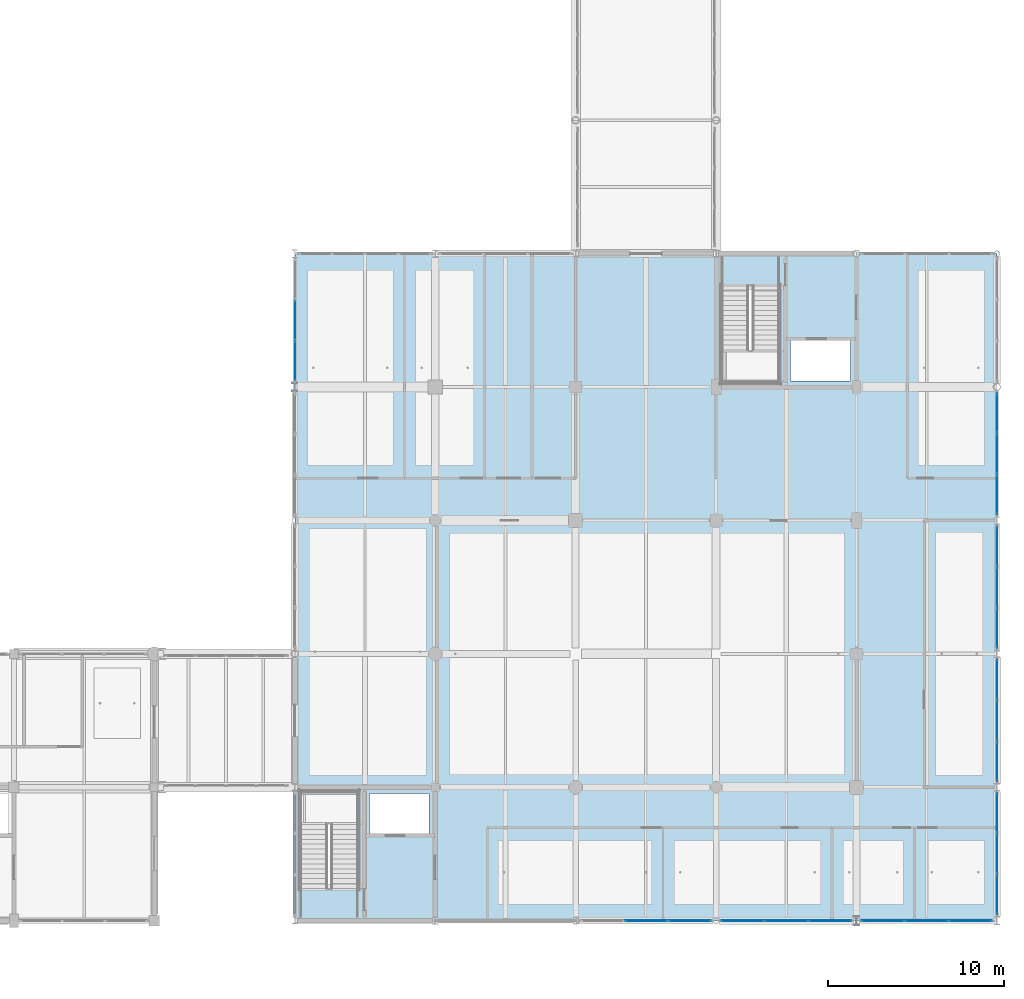
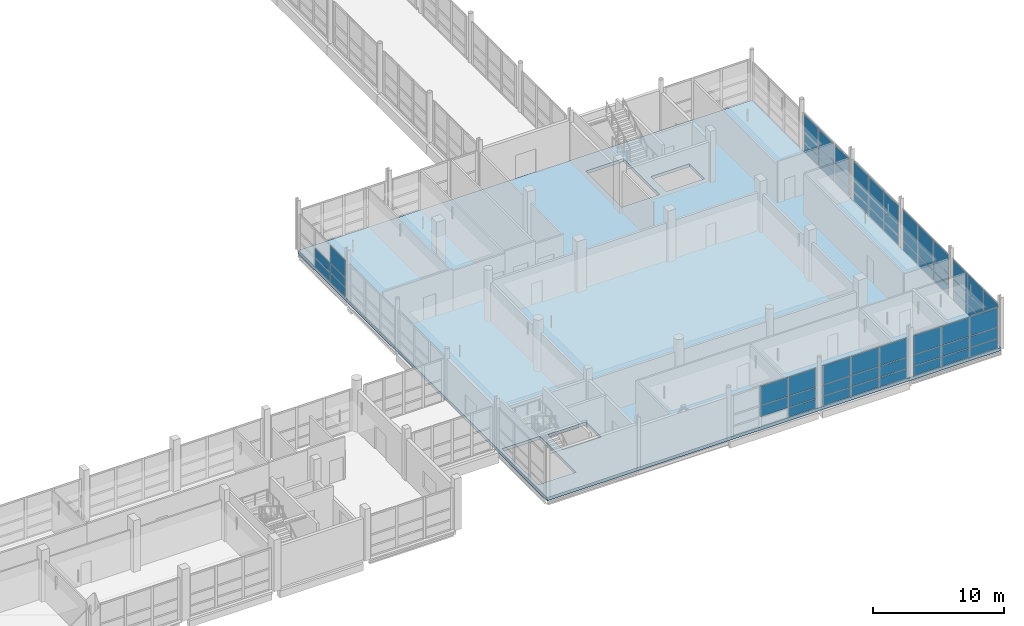
# One storey, part 78 of 141: 64 plates, 1 slab, 8 elements without a shape of their own.
"""IFC4 building model written with IfcOpenShell, lengths in metres."""

import ifcopenshell
import ifcopenshell.guid

model = None  # the IFC model being written
_history = None  # IfcOwnerHistory: only IFC2X3 demands one
_inside = {}  # id of a spatial element -> (the spatial element, [elements in it])
_under = {}  # id of a project, library or spatial element -> (it, [spatial elements below it])
_declared = {}  # id of a project -> (the project, [libraries it declares])
_typed = {}  # id of a type object -> (the type object, [elements of that type])
_made_of = {}  # id of a material, layer set ... -> (it, [elements and type objects made of it])


def new_model(schema):
    """Start an empty IFC model of exactly this schema.

    Asked for "IFC4X3", IfcOpenShell would pick the latest addendum, in which some entities
    have other attributes; the version numbers below select the first issue.
    IFC2X3 requires an IfcOwnerHistory on every rooted entity: one is made here for all.
    """
    global model, _history
    if schema == "IFC4X3":
        model = ifcopenshell.file(schema_version=(4, 3, 0, 0))
    else:
        model = ifcopenshell.file(schema=schema)
    _inside.clear()
    _under.clear()
    _declared.clear()
    _typed.clear()
    _made_of.clear()
    _history = None
    if model.schema == "IFC2X3":
        org = make("IfcOrganization", Name="unknown")
        user = make(
            "IfcPersonAndOrganization",
            ThePerson=make("IfcPerson", FamilyName="unknown"),
            TheOrganization=org,
        )
        app = make(
            "IfcApplication",
            ApplicationDeveloper=org,
            Version="unknown",
            ApplicationFullName="unknown",
            ApplicationIdentifier="unknown",
        )
        _history = make(
            "IfcOwnerHistory",
            OwningUser=user,
            OwningApplication=app,
            ChangeAction="ADDED",
            CreationDate=0,
        )
    return model


def make(cls, **values):
    """One entity of the class cls with the attributes given. An attribute that is None is left unset."""
    return model.create_entity(
        cls, **{name: value for name, value in values.items() if value is not None}
    )


def rooted(cls, **values):
    """An entity with a GlobalId (a new one), such as an element, a storey or a relation."""
    return make(cls, GlobalId=ifcopenshell.guid.new(), OwnerHistory=_history, **values)


def si_unit(unit_type, name, prefix=None):
    """IfcSIUnit, for example si_unit("LENGTHUNIT", "METRE", prefix="MILLI")."""
    return make("IfcSIUnit", UnitType=unit_type, Prefix=prefix, Name=name)


def assignment(units):
    """IfcUnitAssignment: the units of a project."""
    return None if units is None else make("IfcUnitAssignment", Units=units)


def point(xyz):
    """IfcCartesianPoint."""
    return None if xyz is None else make("IfcCartesianPoint", Coordinates=xyz)


def direction(xyz):
    """IfcDirection."""
    return None if xyz is None else make("IfcDirection", DirectionRatios=xyz)


def frame(location, z_axis=None, x_axis=None):
    """IfcAxis2Placement3D, a coordinate frame: its origin and axes. An axis left out is left unset."""
    return make(
        "IfcAxis2Placement3D",
        Location=point(location),
        Axis=direction(z_axis),
        RefDirection=direction(x_axis),
    )


def frame_2d(location, x_axis=None):
    """IfcAxis2Placement2D, a coordinate frame in the plane: its origin and x axis."""
    return make(
        "IfcAxis2Placement2D", Location=point(location), RefDirection=direction(x_axis)
    )


def origin():
    """The frame at (0, 0, 0) with its axes left unset."""
    return frame((0.0, 0.0, 0.0))


def origin_2d():
    """The frame at (0, 0) in the plane with its x axis left unset."""
    return frame_2d((0.0, 0.0))


def place(relative_to, where):
    """IfcLocalPlacement: puts the frame where relative to a parent placement (None: the world)."""
    return make(
        "IfcLocalPlacement", PlacementRelTo=relative_to, RelativePlacement=where
    )


def context(
    kind, dimensions, precision=None, world=None, true_north=None, identifier=None
):
    """IfcGeometricRepresentationContext, for example the 3D "Model" context."""
    return make(
        "IfcGeometricRepresentationContext",
        ContextIdentifier=identifier,
        ContextType=kind,
        CoordinateSpaceDimension=dimensions,
        Precision=precision,
        WorldCoordinateSystem=world,
        TrueNorth=true_north,
    )


def subcontext(parent, identifier, kind, view, scale=None):
    """IfcGeometricRepresentationSubContext, for example "Body" below "Model"."""
    return make(
        "IfcGeometricRepresentationSubContext",
        ContextIdentifier=identifier,
        ContextType=kind,
        ParentContext=parent,
        TargetScale=scale,
        TargetView=view,
    )


def project(units=None, contexts=None):
    """IfcProject with its units and contexts."""
    return rooted(
        "IfcProject",
        Name="project",
        RepresentationContexts=contexts,
        UnitsInContext=assignment(units),
    )


def spatial(cls, under=None, at=None, **own):
    """A site, building, storey or space (cls), placed at a placement, below another one or the project."""
    s = rooted(cls, ObjectPlacement=at, **own)
    if under is not None:
        _under.setdefault(under.id(), (under, []))[1].append(s)
    return s


def polyline(points):
    """IfcPolyline through the points."""
    return make("IfcPolyline", Points=[point(p) for p in points])


def profile(cls, at=None, kind="AREA", **sizes):
    """A parametric profile (cls). Its sizes go by their IFC names, for example OverallWidth=200.0."""
    return make(cls, ProfileType=kind, Position=at, **sizes)


def rectangle(**sizes):
    """IfcRectangleProfileDef."""
    return profile("IfcRectangleProfileDef", **sizes)


def outline(outer, holes=None, kind="AREA"):
    """IfcArbitraryClosedProfileDef: a profile drawn as a closed curve; with holes, ...WithVoids."""
    if holes is None:
        return make("IfcArbitraryClosedProfileDef", ProfileType=kind, OuterCurve=outer)
    return make(
        "IfcArbitraryProfileDefWithVoids",
        ProfileType=kind,
        OuterCurve=outer,
        InnerCurves=holes,
    )


def extrude(swept, where, along, depth):
    """IfcExtrudedAreaSolid: the profile swept, set in the frame where, extruded along a direction by depth."""
    return make(
        "IfcExtrudedAreaSolid",
        SweptArea=swept,
        Position=where,
        ExtrudedDirection=direction(along),
        Depth=depth,
    )


def shape(context_of_items, identifier, shape_type, items):
    """IfcShapeRepresentation: the items that make up one representation, for example the "Body"."""
    return make(
        "IfcShapeRepresentation",
        ContextOfItems=context_of_items,
        RepresentationIdentifier=identifier,
        RepresentationType=shape_type,
        Items=items,
    )


def material(Name=None, Category=None):
    """IfcMaterial."""
    return make("IfcMaterial", Name=Name, Category=Category)


def layer(
    of_material, thickness, ventilated=None, Name=None, Category=None, Priority=None
):
    """IfcMaterialLayer: one layer of a wall or slab, of a material (None: an air gap)."""
    return make(
        "IfcMaterialLayer",
        Material=of_material,
        LayerThickness=thickness,
        IsVentilated=ventilated,
        Name=Name,
        Category=Category,
        Priority=Priority,
    )


def layer_set(layers, Name=None):
    """IfcMaterialLayerSet."""
    return make("IfcMaterialLayerSet", MaterialLayers=layers, LayerSetName=Name)


def made_of(thing, what):
    """Note that an element or type object is made of a material, layer set ...; save() writes the relation."""
    if what is not None:
        _made_of.setdefault(what.id(), (what, []))[1].append(thing)
    return thing


def type_object(cls, material=None, **own):
    """A type object (cls), such as IfcWallType, which elements share."""
    return made_of(rooted(cls, **own), material)


def element(
    cls,
    number,
    at=None,
    inside=None,
    cuts=None,
    type_object=None,
    material=None,
    context=None,
    identifier="Body",
    shape_type=None,
    held_by="IfcProductDefinitionShape",
    body=None,
    shapes=None,
    **own,
):
    """One element of the class cls, such as IfcWall. Its Tag is "e" and its number.

    at: its placement. inside: the storey or other place that contains it. cuts: it is an
    opening in that element (IfcRelVoidsElement). A single representation is given by context,
    identifier, shape_type and body (its items); several are given by shapes. held_by: the class
    of the entity that holds the representations. save() writes the other relations.
    """
    e = rooted(cls, Tag="e%d" % number, ObjectPlacement=at, **own)
    if body is not None:
        shapes = [shape(context, identifier, shape_type, body)]
    if shapes is not None:
        e.Representation = make(held_by, Representations=shapes)
    if inside is not None:
        _inside.setdefault(inside.id(), (inside, []))[1].append(e)
    if cuts is not None:
        rooted(
            "IfcRelVoidsElement", RelatingBuildingElement=cuts, RelatedOpeningElement=e
        )
    if type_object is not None:
        _typed.setdefault(type_object.id(), (type_object, []))[1].append(e)
    return made_of(e, material)


def aggregate(whole, parts):
    """IfcRelAggregates: a whole, such as a stair, and the parts it consists of."""
    return rooted("IfcRelAggregates", RelatingObject=whole, RelatedObjects=parts)


def save(model, path):
    """Write the relations noted so far, then the file.

    IfcRelAggregates (storeys below a building ...), IfcRelContainedInSpatialStructure (elements
    in a storey), IfcRelDefinesByType, IfcRelAssociatesMaterial and IfcRelDeclares: one each for
    every whole, place, type object, material and project.
    """
    for whole, parts in _under.values():
        aggregate(whole, parts)
    for where, things in _inside.values():
        rooted(
            "IfcRelContainedInSpatialStructure",
            RelatedElements=things,
            RelatingStructure=where,
        )
    for kind, things in _typed.values():
        rooted("IfcRelDefinesByType", RelatedObjects=things, RelatingType=kind)
    for what, things in _made_of.values():
        rooted("IfcRelAssociatesMaterial", RelatedObjects=things, RelatingMaterial=what)
    for by, libraries in _declared.values():
        rooted("IfcRelDeclares", RelatingContext=by, RelatedDefinitions=libraries)
    model.write(path)


model = new_model("IFC4")

# Units and contexts
model_context = context("Model", 3, precision=1e-05, world=origin(), true_north=direction((0.0, 1.0)))
body_context = subcontext(model_context, "Body", "Model", "MODEL_VIEW")
ifc_project = project(units=[si_unit("LENGTHUNIT", "METRE"), si_unit("AREAUNIT", "SQUARE_METRE"), si_unit("VOLUMEUNIT", "CUBIC_METRE"), si_unit("PLANEANGLEUNIT", "RADIAN"), si_unit("MASSUNIT", "GRAM", prefix="KILO")], contexts=[model_context])

# Site, building, storey
site_placement = place(None, origin())
site = spatial("IfcSite", under=ifc_project, at=site_placement, CompositionType="ELEMENT")
building_placement = place(site_placement, origin())
building = spatial("IfcBuilding", under=site, at=building_placement, Name="Khelvaren Railside Concert Hall", CompositionType="ELEMENT")
storey_placement = place(building_placement, frame((0.0, 0.0, 10.199951171875)))
storey = spatial("IfcBuildingStorey", under=building, at=storey_placement, Name="L02", CompositionType="ELEMENT", Elevation=10.199951171875)

# Curtain wall, plates
ifc_material_1 = material(Name="Double-glazed clear foyer glass", Category="glass")
curtain_wall_type_1 = type_object("IfcCurtainWallType", Name="CW68", PredefinedType="USERDEFINED", material=ifc_material_1)
curtain_wall_1_placement = place(storey_placement, origin())
curtain_wall_1 = element("IfcCurtainWall", 1, at=curtain_wall_1_placement, inside=storey, type_object=curtain_wall_type_1, Name="Unitised Curtain Wall CW-V2-L02-S-160", ObjectType="UNITISED CURTAIN WALL", PredefinedType="USERDEFINED")
ifc_layer_1 = layer(ifc_material_1, 0.0439453125)
ifc_layer_set_1 = layer_set([ifc_layer_1], Name="Double-glazed clear foyer glass")
plate_type_1 = type_object("IfcPlateType", Name="CWP33", PredefinedType="CURTAIN_PANEL", material=ifc_layer_set_1)
plate_1_placement = place(storey_placement, frame((166.49853515625, 0.0, 0.06494140625), z_axis=(0.0, 0.0, 1.0), x_axis=(-1.0, 0.0, 0.0)))
plate_1 = element("IfcPlate", 2, at=plate_1_placement, type_object=plate_type_1, Name="CW68 panel 1.1", PredefinedType="CURTAIN_PANEL", context=body_context, shape_type="SweptSolid", body=[
    extrude(rectangle(XDim=2.384033203125, YDim=0.0439453125, at=origin_2d()), origin(), (0.0, 0.0, 1.0), 0.8525390625),
])
plate_2_placement = place(storey_placement, frame((166.49853515625, 0.0, 0.982666015625), z_axis=(0.0, 0.0, 1.0), x_axis=(-1.0, 0.0, 0.0)))
plate_2 = element("IfcPlate", 3, at=plate_2_placement, type_object=plate_type_1, Name="CW68 panel 1.2", PredefinedType="CURTAIN_PANEL", context=body_context, shape_type="SweptSolid", body=[
    extrude(rectangle(XDim=2.384033203125, YDim=0.0439453125, at=origin_2d()), origin(), (0.0, 0.0, 1.0), 0.9921875),
])
plate_3_placement = place(storey_placement, frame((166.49853515625, 0.0, 2.039794921875), z_axis=(0.0, 0.0, 1.0), x_axis=(-1.0, 0.0, 0.0)))
plate_3 = element("IfcPlate", 4, at=plate_3_placement, type_object=plate_type_1, Name="CW68 panel 1.3", PredefinedType="CURTAIN_PANEL", context=body_context, shape_type="SweptSolid", body=[
    extrude(rectangle(XDim=2.384033203125, YDim=0.0439453125, at=origin_2d()), origin(), (0.0, 0.0, 1.0), 1.75537109375),
])
plate_4_placement = place(storey_placement, frame((164.0205078125, 0.0, 0.982666015625), z_axis=(0.0, 0.0, 1.0), x_axis=(-1.0, 0.0, 0.0)))
plate_4 = element("IfcPlate", 5, at=plate_4_placement, type_object=plate_type_1, Name="CW68 panel 2.2", PredefinedType="CURTAIN_PANEL", context=body_context, shape_type="SweptSolid", body=[
    extrude(rectangle(XDim=2.421630859375, YDim=0.0439453125, at=origin_2d()), origin(), (0.0, 0.0, 1.0), 0.9921875),
])
plate_5_placement = place(storey_placement, frame((164.0205078125, 0.0, 2.039794921875), z_axis=(0.0, 0.0, 1.0), x_axis=(-1.0, 0.0, 0.0)))
plate_5 = element("IfcPlate", 6, at=plate_5_placement, type_object=plate_type_1, Name="CW68 panel 2.3", PredefinedType="CURTAIN_PANEL", context=body_context, shape_type="SweptSolid", body=[
    extrude(rectangle(XDim=2.421630859375, YDim=0.0439453125, at=origin_2d()), origin(), (0.0, 0.0, 1.0), 1.75537109375),
])
aggregate(curtain_wall_1, [plate_1, plate_2, plate_3, plate_4, plate_5])

curtain_wall_type_2 = type_object("IfcCurtainWallType", Name="CW70", PredefinedType="USERDEFINED", material=ifc_material_1)
curtain_wall_2_placement = place(storey_placement, origin())
curtain_wall_2 = element("IfcCurtainWall", 7, at=curtain_wall_2_placement, inside=storey, type_object=curtain_wall_type_2, Name="Unitised Curtain Wall CW-V2-L02-S-168", ObjectType="UNITISED CURTAIN WALL", PredefinedType="USERDEFINED")
plate_6_placement = place(storey_placement, frame((174.50146484375, 0.0, 0.06494140625), z_axis=(0.0, 0.0, 1.0), x_axis=(-1.0, 0.0, 0.0)))
plate_6 = element("IfcPlate", 8, at=plate_6_placement, type_object=plate_type_1, Name="CW70 panel 1.1", PredefinedType="CURTAIN_PANEL", context=body_context, shape_type="SweptSolid", body=[
    extrude(rectangle(XDim=2.40185546875, YDim=0.0439453125, at=origin_2d()), origin(), (0.0, 0.0, 1.0), 0.8525390625),
])
plate_7_placement = place(storey_placement, frame((174.50146484375, 0.0, 0.982666015625), z_axis=(0.0, 0.0, 1.0), x_axis=(-1.0, 0.0, 0.0)))
plate_7 = element("IfcPlate", 9, at=plate_7_placement, type_object=plate_type_1, Name="CW70 panel 1.2", PredefinedType="CURTAIN_PANEL", context=body_context, shape_type="SweptSolid", body=[
    extrude(rectangle(XDim=2.40185546875, YDim=0.0439453125, at=origin_2d()), origin(), (0.0, 0.0, 1.0), 0.9921875),
])
plate_8_placement = place(storey_placement, frame((174.50146484375, 0.0, 2.039794921875), z_axis=(0.0, 0.0, 1.0), x_axis=(-1.0, 0.0, 0.0)))
plate_8 = element("IfcPlate", 10, at=plate_8_placement, type_object=plate_type_1, Name="CW70 panel 1.3", PredefinedType="CURTAIN_PANEL", context=body_context, shape_type="SweptSolid", body=[
    extrude(rectangle(XDim=2.40185546875, YDim=0.0439453125, at=origin_2d()), origin(), (0.0, 0.0, 1.0), 1.75537109375),
])
plate_9_placement = place(storey_placement, frame((172.006103515625, 0.0, 0.06494140625), z_axis=(0.0, 0.0, 1.0), x_axis=(-1.0, 0.0, 0.0)))
plate_9 = element("IfcPlate", 11, at=plate_9_placement, type_object=plate_type_1, Name="CW70 panel 2.1", PredefinedType="CURTAIN_PANEL", context=body_context, shape_type="SweptSolid", body=[
    extrude(rectangle(XDim=2.439453125, YDim=0.0439453125, at=origin_2d()), origin(), (0.0, 0.0, 1.0), 0.8525390625),
])
plate_10_placement = place(storey_placement, frame((172.006103515625, 0.0, 0.982666015625), z_axis=(0.0, 0.0, 1.0), x_axis=(-1.0, 0.0, 0.0)))
plate_10 = element("IfcPlate", 12, at=plate_10_placement, type_object=plate_type_1, Name="CW70 panel 2.2", PredefinedType="CURTAIN_PANEL", context=body_context, shape_type="SweptSolid", body=[
    extrude(rectangle(XDim=2.439453125, YDim=0.0439453125, at=origin_2d()), origin(), (0.0, 0.0, 1.0), 0.9921875),
])
plate_11_placement = place(storey_placement, frame((172.006103515625, 0.0, 2.039794921875), z_axis=(0.0, 0.0, 1.0), x_axis=(-1.0, 0.0, 0.0)))
plate_11 = element("IfcPlate", 13, at=plate_11_placement, type_object=plate_type_1, Name="CW70 panel 2.3", PredefinedType="CURTAIN_PANEL", context=body_context, shape_type="SweptSolid", body=[
    extrude(rectangle(XDim=2.439453125, YDim=0.0439453125, at=origin_2d()), origin(), (0.0, 0.0, 1.0), 1.75537109375),
])
plate_12_placement = place(storey_placement, frame((169.510498046875, 0.0, 0.06494140625), z_axis=(0.0, 0.0, 1.0), x_axis=(-1.0, 0.0, 0.0)))
plate_12 = element("IfcPlate", 14, at=plate_12_placement, type_object=plate_type_1, Name="CW70 panel 3.1", PredefinedType="CURTAIN_PANEL", context=body_context, shape_type="SweptSolid", body=[
    extrude(rectangle(XDim=2.40185546875, YDim=0.0439453125, at=origin_2d()), origin(), (0.0, 0.0, 1.0), 0.8525390625),
])
plate_13_placement = place(storey_placement, frame((169.510498046875, 0.0, 0.982666015625), z_axis=(0.0, 0.0, 1.0), x_axis=(-1.0, 0.0, 0.0)))
plate_13 = element("IfcPlate", 15, at=plate_13_placement, type_object=plate_type_1, Name="CW70 panel 3.2", PredefinedType="CURTAIN_PANEL", context=body_context, shape_type="SweptSolid", body=[
    extrude(rectangle(XDim=2.40185546875, YDim=0.0439453125, at=origin_2d()), origin(), (0.0, 0.0, 1.0), 0.9921875),
])
plate_14_placement = place(storey_placement, frame((169.510498046875, 0.0, 2.039794921875), z_axis=(0.0, 0.0, 1.0), x_axis=(-1.0, 0.0, 0.0)))
plate_14 = element("IfcPlate", 16, at=plate_14_placement, type_object=plate_type_1, Name="CW70 panel 3.3", PredefinedType="CURTAIN_PANEL", context=body_context, shape_type="SweptSolid", body=[
    extrude(rectangle(XDim=2.40185546875, YDim=0.0439453125, at=origin_2d()), origin(), (0.0, 0.0, 1.0), 1.75537109375),
])
aggregate(curtain_wall_2, [plate_6, plate_7, plate_8, plate_9, plate_10, plate_11, plate_12, plate_13, plate_14])

curtain_wall_type_3 = type_object("IfcCurtainWallType", Name="CW83", PredefinedType="USERDEFINED", material=ifc_material_1)
curtain_wall_3_placement = place(storey_placement, origin())
curtain_wall_3 = element("IfcCurtainWall", 17, at=curtain_wall_3_placement, inside=storey, type_object=curtain_wall_type_3, Name="Unitised Curtain Wall CW-V2-L02-S-176", ObjectType="UNITISED CURTAIN WALL", PredefinedType="USERDEFINED")
plate_15_placement = place(storey_placement, frame((182.49951171875, 0.0, 0.06494140625), z_axis=(0.0, 0.0, 1.0), x_axis=(-1.0, 0.0, 0.0)))
plate_15 = element("IfcPlate", 18, at=plate_15_placement, type_object=plate_type_1, Name="CW83 panel 1.1", PredefinedType="CURTAIN_PANEL", context=body_context, shape_type="SweptSolid", body=[
    extrude(rectangle(XDim=2.40576171875, YDim=0.0439453125, at=origin_2d()), origin(), (0.0, 0.0, 1.0), 0.8525390625),
])
plate_16_placement = place(storey_placement, frame((182.49951171875, 0.0, 0.982666015625), z_axis=(0.0, 0.0, 1.0), x_axis=(-1.0, 0.0, 0.0)))
plate_16 = element("IfcPlate", 19, at=plate_16_placement, type_object=plate_type_1, Name="CW83 panel 1.2", PredefinedType="CURTAIN_PANEL", context=body_context, shape_type="SweptSolid", body=[
    extrude(rectangle(XDim=2.40576171875, YDim=0.0439453125, at=origin_2d()), origin(), (0.0, 0.0, 1.0), 0.9921875),
])
plate_17_placement = place(storey_placement, frame((182.49951171875, 0.0, 2.039794921875), z_axis=(0.0, 0.0, 1.0), x_axis=(-1.0, 0.0, 0.0)))
plate_17 = element("IfcPlate", 20, at=plate_17_placement, type_object=plate_type_1, Name="CW83 panel 1.3", PredefinedType="CURTAIN_PANEL", context=body_context, shape_type="SweptSolid", body=[
    extrude(rectangle(XDim=2.40576171875, YDim=0.0439453125, at=origin_2d()), origin(), (0.0, 0.0, 1.0), 1.75537109375),
])
plate_18_placement = place(storey_placement, frame((180.0, 0.0, 0.06494140625), z_axis=(0.0, 0.0, 1.0), x_axis=(-1.0, 0.0, 0.0)))
plate_18 = element("IfcPlate", 21, at=plate_18_placement, type_object=plate_type_1, Name="CW83 panel 2.1", PredefinedType="CURTAIN_PANEL", context=body_context, shape_type="SweptSolid", body=[
    extrude(rectangle(XDim=2.443359375, YDim=0.0439453125, at=origin_2d()), origin(), (0.0, 0.0, 1.0), 0.8525390625),
])
plate_19_placement = place(storey_placement, frame((180.0, 0.0, 0.982666015625), z_axis=(0.0, 0.0, 1.0), x_axis=(-1.0, 0.0, 0.0)))
plate_19 = element("IfcPlate", 22, at=plate_19_placement, type_object=plate_type_1, Name="CW83 panel 2.2", PredefinedType="CURTAIN_PANEL", context=body_context, shape_type="SweptSolid", body=[
    extrude(rectangle(XDim=2.443359375, YDim=0.0439453125, at=origin_2d()), origin(), (0.0, 0.0, 1.0), 0.9921875),
])
plate_20_placement = place(storey_placement, frame((180.0, 0.0, 2.039794921875), z_axis=(0.0, 0.0, 1.0), x_axis=(-1.0, 0.0, 0.0)))
plate_20 = element("IfcPlate", 23, at=plate_20_placement, type_object=plate_type_1, Name="CW83 panel 2.3", PredefinedType="CURTAIN_PANEL", context=body_context, shape_type="SweptSolid", body=[
    extrude(rectangle(XDim=2.443359375, YDim=0.0439453125, at=origin_2d()), origin(), (0.0, 0.0, 1.0), 1.75537109375),
])
plate_21_placement = place(storey_placement, frame((177.50048828125, 0.0, 0.06494140625), z_axis=(0.0, 0.0, 1.0), x_axis=(-1.0, 0.0, 0.0)))
plate_21 = element("IfcPlate", 24, at=plate_21_placement, type_object=plate_type_1, Name="CW83 panel 3.1", PredefinedType="CURTAIN_PANEL", context=body_context, shape_type="SweptSolid", body=[
    extrude(rectangle(XDim=2.40576171875, YDim=0.0439453125, at=origin_2d()), origin(), (0.0, 0.0, 1.0), 0.8525390625),
])
plate_22_placement = place(storey_placement, frame((177.50048828125, 0.0, 0.982666015625), z_axis=(0.0, 0.0, 1.0), x_axis=(-1.0, 0.0, 0.0)))
plate_22 = element("IfcPlate", 25, at=plate_22_placement, type_object=plate_type_1, Name="CW83 panel 3.2", PredefinedType="CURTAIN_PANEL", context=body_context, shape_type="SweptSolid", body=[
    extrude(rectangle(XDim=2.40576171875, YDim=0.0439453125, at=origin_2d()), origin(), (0.0, 0.0, 1.0), 0.9921875),
])
plate_23_placement = place(storey_placement, frame((177.50048828125, 0.0, 2.039794921875), z_axis=(0.0, 0.0, 1.0), x_axis=(-1.0, 0.0, 0.0)))
plate_23 = element("IfcPlate", 26, at=plate_23_placement, type_object=plate_type_1, Name="CW83 panel 3.3", PredefinedType="CURTAIN_PANEL", context=body_context, shape_type="SweptSolid", body=[
    extrude(rectangle(XDim=2.40576171875, YDim=0.0439453125, at=origin_2d()), origin(), (0.0, 0.0, 1.0), 1.75537109375),
])
aggregate(curtain_wall_3, [plate_15, plate_16, plate_17, plate_18, plate_19, plate_20, plate_21, plate_22, plate_23])

curtain_wall_4_placement = place(storey_placement, origin())
curtain_wall_4 = element("IfcCurtainWall", 27, at=curtain_wall_4_placement, inside=storey, type_object=curtain_wall_type_3, Name="Unitised Curtain Wall CW-V2-L02-E-0", ObjectType="UNITISED CURTAIN WALL", PredefinedType="USERDEFINED")
plate_24_placement = place(storey_placement, frame((184.0, 6.136962890625, 0.06494140625), z_axis=(0.0, 0.0, 1.0), x_axis=(0.0, -1.0, 0.0)))
plate_24 = element("IfcPlate", 28, at=plate_24_placement, type_object=plate_type_1, Name="CW83 panel 1.1", PredefinedType="CURTAIN_PANEL", context=body_context, shape_type="SweptSolid", body=[
    extrude(rectangle(XDim=2.230712890625, YDim=0.0439453125, at=origin_2d()), origin(), (0.0, 0.0, 1.0), 0.8525390625),
])
plate_25_placement = place(storey_placement, frame((184.0, 6.136962890625, 0.982666015625), z_axis=(0.0, 0.0, 1.0), x_axis=(0.0, -1.0, 0.0)))
plate_25 = element("IfcPlate", 29, at=plate_25_placement, type_object=plate_type_1, Name="CW83 panel 1.2", PredefinedType="CURTAIN_PANEL", context=body_context, shape_type="SweptSolid", body=[
    extrude(rectangle(XDim=2.230712890625, YDim=0.0439453125, at=origin_2d()), origin(), (0.0, 0.0, 1.0), 0.9921875),
])
plate_26_placement = place(storey_placement, frame((184.0, 6.136962890625, 2.039794921875), z_axis=(0.0, 0.0, 1.0), x_axis=(0.0, -1.0, 0.0)))
plate_26 = element("IfcPlate", 30, at=plate_26_placement, type_object=plate_type_1, Name="CW83 panel 1.3", PredefinedType="CURTAIN_PANEL", context=body_context, shape_type="SweptSolid", body=[
    extrude(rectangle(XDim=2.230712890625, YDim=0.0439453125, at=origin_2d()), origin(), (0.0, 0.0, 1.0), 1.75537109375),
])
plate_27_placement = place(storey_placement, frame((184.0, 3.8125, 0.06494140625), z_axis=(0.0, 0.0, 1.0), x_axis=(0.0, -1.0, 0.0)))
plate_27 = element("IfcPlate", 31, at=plate_27_placement, type_object=plate_type_1, Name="CW83 panel 2.1", PredefinedType="CURTAIN_PANEL", context=body_context, shape_type="SweptSolid", body=[
    extrude(rectangle(XDim=2.268310546875, YDim=0.0439453125, at=origin_2d()), origin(), (0.0, 0.0, 1.0), 0.8525390625),
])
plate_28_placement = place(storey_placement, frame((184.0, 3.8125, 0.982666015625), z_axis=(0.0, 0.0, 1.0), x_axis=(0.0, -1.0, 0.0)))
plate_28 = element("IfcPlate", 32, at=plate_28_placement, type_object=plate_type_1, Name="CW83 panel 2.2", PredefinedType="CURTAIN_PANEL", context=body_context, shape_type="SweptSolid", body=[
    extrude(rectangle(XDim=2.268310546875, YDim=0.0439453125, at=origin_2d()), origin(), (0.0, 0.0, 1.0), 0.9921875),
])
plate_29_placement = place(storey_placement, frame((184.0, 3.8125, 2.039794921875), z_axis=(0.0, 0.0, 1.0), x_axis=(0.0, -1.0, 0.0)))
plate_29 = element("IfcPlate", 33, at=plate_29_placement, type_object=plate_type_1, Name="CW83 panel 2.3", PredefinedType="CURTAIN_PANEL", context=body_context, shape_type="SweptSolid", body=[
    extrude(rectangle(XDim=2.268310546875, YDim=0.0439453125, at=origin_2d()), origin(), (0.0, 0.0, 1.0), 1.75537109375),
])
plate_30_placement = place(storey_placement, frame((184.0, 1.488037109375, 0.06494140625), z_axis=(0.0, 0.0, 1.0), x_axis=(0.0, -1.0, 0.0)))
plate_30 = element("IfcPlate", 34, at=plate_30_placement, type_object=plate_type_1, Name="CW83 panel 3.1", PredefinedType="CURTAIN_PANEL", context=body_context, shape_type="SweptSolid", body=[
    extrude(rectangle(XDim=2.230712890625, YDim=0.0439453125, at=origin_2d()), origin(), (0.0, 0.0, 1.0), 0.8525390625),
])
plate_31_placement = place(storey_placement, frame((184.0, 1.488037109375, 0.982666015625), z_axis=(0.0, 0.0, 1.0), x_axis=(0.0, -1.0, 0.0)))
plate_31 = element("IfcPlate", 35, at=plate_31_placement, type_object=plate_type_1, Name="CW83 panel 3.2", PredefinedType="CURTAIN_PANEL", context=body_context, shape_type="SweptSolid", body=[
    extrude(rectangle(XDim=2.230712890625, YDim=0.0439453125, at=origin_2d()), origin(), (0.0, 0.0, 1.0), 0.9921875),
])
plate_32_placement = place(storey_placement, frame((184.0, 1.488037109375, 2.039794921875), z_axis=(0.0, 0.0, 1.0), x_axis=(0.0, -1.0, 0.0)))
plate_32 = element("IfcPlate", 36, at=plate_32_placement, type_object=plate_type_1, Name="CW83 panel 3.3", PredefinedType="CURTAIN_PANEL", context=body_context, shape_type="SweptSolid", body=[
    extrude(rectangle(XDim=2.230712890625, YDim=0.0439453125, at=origin_2d()), origin(), (0.0, 0.0, 1.0), 1.75537109375),
])
aggregate(curtain_wall_4, [plate_24, plate_25, plate_26, plate_27, plate_28, plate_29, plate_30, plate_31, plate_32])

curtain_wall_type_4 = type_object("IfcCurtainWallType", Name="CW64", PredefinedType="USERDEFINED", material=ifc_material_1)
curtain_wall_5_placement = place(storey_placement, origin())
curtain_wall_5 = element("IfcCurtainWall", 37, at=curtain_wall_5_placement, inside=storey, type_object=curtain_wall_type_4, Name="Unitised Curtain Wall CW-V2-L02-E-8", ObjectType="UNITISED CURTAIN WALL", PredefinedType="USERDEFINED")
plate_33_placement = place(storey_placement, frame((184.0, 13.74951171875, 0.06494140625), z_axis=(0.0, 0.0, 1.0), x_axis=(0.0, -1.0, 0.0)))
plate_33 = element("IfcPlate", 38, at=plate_33_placement, type_object=plate_type_1, Name="CW64 panel 1.1", PredefinedType="CURTAIN_PANEL", context=body_context, shape_type="SweptSolid", body=[
    extrude(rectangle(XDim=2.245849609375, YDim=0.0439453125, at=origin_2d()), origin(), (0.0, 0.0, 1.0), 0.8525390625),
])
plate_34_placement = place(storey_placement, frame((184.0, 13.74951171875, 0.982666015625), z_axis=(0.0, 0.0, 1.0), x_axis=(0.0, -1.0, 0.0)))
plate_34 = element("IfcPlate", 39, at=plate_34_placement, type_object=plate_type_1, Name="CW64 panel 1.2", PredefinedType="CURTAIN_PANEL", context=body_context, shape_type="SweptSolid", body=[
    extrude(rectangle(XDim=2.245849609375, YDim=0.0439453125, at=origin_2d()), origin(), (0.0, 0.0, 1.0), 0.9921875),
])
plate_35_placement = place(storey_placement, frame((184.0, 13.74951171875, 2.039794921875), z_axis=(0.0, 0.0, 1.0), x_axis=(0.0, -1.0, 0.0)))
plate_35 = element("IfcPlate", 40, at=plate_35_placement, type_object=plate_type_1, Name="CW64 panel 1.3", PredefinedType="CURTAIN_PANEL", context=body_context, shape_type="SweptSolid", body=[
    extrude(rectangle(XDim=2.245849609375, YDim=0.0439453125, at=origin_2d()), origin(), (0.0, 0.0, 1.0), 1.75537109375),
])
plate_36_placement = place(storey_placement, frame((184.0, 11.409912109375, 0.06494140625), z_axis=(0.0, 0.0, 1.0), x_axis=(0.0, -1.0, 0.0)))
plate_36 = element("IfcPlate", 41, at=plate_36_placement, type_object=plate_type_1, Name="CW64 panel 2.1", PredefinedType="CURTAIN_PANEL", context=body_context, shape_type="SweptSolid", body=[
    extrude(rectangle(XDim=2.283447265625, YDim=0.0439453125, at=origin_2d()), origin(), (0.0, 0.0, 1.0), 0.8525390625),
])
plate_37_placement = place(storey_placement, frame((184.0, 11.409912109375, 0.982666015625), z_axis=(0.0, 0.0, 1.0), x_axis=(0.0, -1.0, 0.0)))
plate_37 = element("IfcPlate", 42, at=plate_37_placement, type_object=plate_type_1, Name="CW64 panel 2.2", PredefinedType="CURTAIN_PANEL", context=body_context, shape_type="SweptSolid", body=[
    extrude(rectangle(XDim=2.283447265625, YDim=0.0439453125, at=origin_2d()), origin(), (0.0, 0.0, 1.0), 0.9921875),
])
plate_38_placement = place(storey_placement, frame((184.0, 11.409912109375, 2.039794921875), z_axis=(0.0, 0.0, 1.0), x_axis=(0.0, -1.0, 0.0)))
plate_38 = element("IfcPlate", 43, at=plate_38_placement, type_object=plate_type_1, Name="CW64 panel 2.3", PredefinedType="CURTAIN_PANEL", context=body_context, shape_type="SweptSolid", body=[
    extrude(rectangle(XDim=2.283447265625, YDim=0.0439453125, at=origin_2d()), origin(), (0.0, 0.0, 1.0), 1.75537109375),
])
plate_39_placement = place(storey_placement, frame((184.0, 9.0703125, 0.06494140625), z_axis=(0.0, 0.0, 1.0), x_axis=(0.0, -1.0, 0.0)))
plate_39 = element("IfcPlate", 44, at=plate_39_placement, type_object=plate_type_1, Name="CW64 panel 3.1", PredefinedType="CURTAIN_PANEL", context=body_context, shape_type="SweptSolid", body=[
    extrude(rectangle(XDim=2.245849609375, YDim=0.0439453125, at=origin_2d()), origin(), (0.0, 0.0, 1.0), 0.8525390625),
])
plate_40_placement = place(storey_placement, frame((184.0, 9.0703125, 0.982666015625), z_axis=(0.0, 0.0, 1.0), x_axis=(0.0, -1.0, 0.0)))
plate_40 = element("IfcPlate", 45, at=plate_40_placement, type_object=plate_type_1, Name="CW64 panel 3.2", PredefinedType="CURTAIN_PANEL", context=body_context, shape_type="SweptSolid", body=[
    extrude(rectangle(XDim=2.245849609375, YDim=0.0439453125, at=origin_2d()), origin(), (0.0, 0.0, 1.0), 0.9921875),
])
plate_41_placement = place(storey_placement, frame((184.0, 9.0703125, 2.039794921875), z_axis=(0.0, 0.0, 1.0), x_axis=(0.0, -1.0, 0.0)))
plate_41 = element("IfcPlate", 46, at=plate_41_placement, type_object=plate_type_1, Name="CW64 panel 3.3", PredefinedType="CURTAIN_PANEL", context=body_context, shape_type="SweptSolid", body=[
    extrude(rectangle(XDim=2.245849609375, YDim=0.0439453125, at=origin_2d()), origin(), (0.0, 0.0, 1.0), 1.75537109375),
])
aggregate(curtain_wall_5, [plate_33, plate_34, plate_35, plate_36, plate_37, plate_38, plate_39, plate_40, plate_41])

ifc_material_2 = material(Name="Triple-glazed solar-control glass", Category="glass")
curtain_wall_type_5 = type_object("IfcCurtainWallType", Name="CW88", PredefinedType="USERDEFINED", material=ifc_material_2)
curtain_wall_6_placement = place(storey_placement, origin())
curtain_wall_6 = element("IfcCurtainWall", 47, at=curtain_wall_6_placement, inside=storey, type_object=curtain_wall_type_5, Name="Unitised Curtain Wall CW-V2-L02-W-30", ObjectType="UNITISED CURTAIN WALL", PredefinedType="USERDEFINED")
ifc_layer_2 = layer(ifc_material_2, 0.035888671875)
ifc_layer_set_2 = layer_set([ifc_layer_2], Name="Triple-glazed solar-control glass")
plate_type_2 = type_object("IfcPlateType", Name="CWP53", PredefinedType="CURTAIN_PANEL", material=ifc_layer_set_2)
plate_42_placement = place(storey_placement, frame((144.0, 31.904541015625, 0.0751953125), z_axis=(0.0, 0.0, 1.0), x_axis=(0.0, 1.0, 0.0)))
plate_42 = element("IfcPlate", 48, at=plate_42_placement, type_object=plate_type_2, Name="CW88 panel 1.1", PredefinedType="CURTAIN_PANEL", context=body_context, shape_type="SweptSolid", body=[
    extrude(rectangle(XDim=2.214111328125, YDim=0.035888671875, at=origin_2d()), origin(), (0.0, 0.0, 1.0), 0.83740234375),
])
plate_43_placement = place(storey_placement, frame((144.0, 31.904541015625, 0.987548828125), z_axis=(0.0, 0.0, 1.0), x_axis=(0.0, 1.0, 0.0)))
plate_43 = element("IfcPlate", 49, at=plate_43_placement, type_object=plate_type_2, Name="CW88 panel 1.2", PredefinedType="CURTAIN_PANEL", context=body_context, shape_type="SweptSolid", body=[
    extrude(rectangle(XDim=2.214111328125, YDim=0.035888671875, at=origin_2d()), origin(), (0.0, 0.0, 1.0), 0.826171875),
])
plate_44_placement = place(storey_placement, frame((144.0, 31.904541015625, 1.888916015625), z_axis=(0.0, 0.0, 1.0), x_axis=(0.0, 1.0, 0.0)))
plate_44 = element("IfcPlate", 50, at=plate_44_placement, type_object=plate_type_2, Name="CW88 panel 1.3", PredefinedType="CURTAIN_PANEL", context=body_context, shape_type="SweptSolid", body=[
    extrude(rectangle(XDim=2.214111328125, YDim=0.035888671875, at=origin_2d()), origin(), (0.0, 0.0, 1.0), 1.59619140625),
])
plate_45_placement = place(storey_placement, frame((144.0, 34.21240234375, 0.0751953125), z_axis=(0.0, 0.0, 1.0), x_axis=(0.0, 1.0, 0.0)))
plate_45 = element("IfcPlate", 51, at=plate_45_placement, type_object=plate_type_2, Name="CW88 panel 2.1", PredefinedType="CURTAIN_PANEL", context=body_context, shape_type="SweptSolid", body=[
    extrude(rectangle(XDim=2.251708984375, YDim=0.035888671875, at=origin_2d()), origin(), (0.0, 0.0, 1.0), 0.83740234375),
])
plate_46_placement = place(storey_placement, frame((144.0, 34.21240234375, 0.987548828125), z_axis=(0.0, 0.0, 1.0), x_axis=(0.0, 1.0, 0.0)))
plate_46 = element("IfcPlate", 52, at=plate_46_placement, type_object=plate_type_2, Name="CW88 panel 2.2", PredefinedType="CURTAIN_PANEL", context=body_context, shape_type="SweptSolid", body=[
    extrude(rectangle(XDim=2.251708984375, YDim=0.035888671875, at=origin_2d()), origin(), (0.0, 0.0, 1.0), 0.826171875),
])
aggregate(curtain_wall_6, [plate_42, plate_43, plate_44, plate_45, plate_46])

ifc_material_3 = material(Name="Acoustic laminated crystal facade glass", Category="glass")
curtain_wall_type_6 = type_object("IfcCurtainWallType", Name="CW54", PredefinedType="USERDEFINED", material=ifc_material_3)
curtain_wall_7_placement = place(storey_placement, origin())
curtain_wall_7 = element("IfcCurtainWall", 53, at=curtain_wall_7_placement, inside=storey, type_object=curtain_wall_type_6, Name="Unitised Curtain Wall CW-V2-L02-E-15", ObjectType="UNITISED CURTAIN WALL", PredefinedType="USERDEFINED")
ifc_layer_3 = layer(ifc_material_3, 0.0400390625)
ifc_layer_set_3 = layer_set([ifc_layer_3], Name="Acoustic laminated crystal facade glass")
plate_type_3 = type_object("IfcPlateType", Name="CWP77", PredefinedType="CURTAIN_PANEL", material=ifc_layer_set_3)
plate_47_placement = place(storey_placement, frame((184.0, 21.327880859375, 0.0849609375), z_axis=(0.0, 0.0, 1.0), x_axis=(0.0, -1.0, 0.0)))
plate_47 = element("IfcPlate", 54, at=plate_47_placement, type_object=plate_type_3, Name="CW54 panel 1.1", PredefinedType="CURTAIN_PANEL", context=body_context, shape_type="SweptSolid", body=[
    extrude(rectangle(XDim=2.229248046875, YDim=0.0400390625, at=origin_2d()), origin(), (0.0, 0.0, 1.0), 0.822509765625),
])
plate_48_placement = place(storey_placement, frame((184.0, 21.327880859375, 0.99267578125), z_axis=(0.0, 0.0, 1.0), x_axis=(0.0, -1.0, 0.0)))
plate_48 = element("IfcPlate", 55, at=plate_48_placement, type_object=plate_type_3, Name="CW54 panel 1.2", PredefinedType="CURTAIN_PANEL", context=body_context, shape_type="SweptSolid", body=[
    extrude(rectangle(XDim=2.229248046875, YDim=0.0400390625, at=origin_2d()), origin(), (0.0, 0.0, 1.0), 0.97216796875),
])
plate_49_placement = place(storey_placement, frame((184.0, 21.327880859375, 2.0498046875), z_axis=(0.0, 0.0, 1.0), x_axis=(0.0, -1.0, 0.0)))
plate_49 = element("IfcPlate", 56, at=plate_49_placement, type_object=plate_type_3, Name="CW54 panel 1.3", PredefinedType="CURTAIN_PANEL", context=body_context, shape_type="SweptSolid", body=[
    extrude(rectangle(XDim=2.229248046875, YDim=0.0400390625, at=origin_2d()), origin(), (0.0, 0.0, 1.0), 1.725341796875),
])
plate_50_placement = place(storey_placement, frame((184.0, 18.992431640625, 0.0849609375), z_axis=(0.0, 0.0, 1.0), x_axis=(0.0, -1.0, 0.0)))
plate_50 = element("IfcPlate", 57, at=plate_50_placement, type_object=plate_type_3, Name="CW54 panel 2.1", PredefinedType="CURTAIN_PANEL", context=body_context, shape_type="SweptSolid", body=[
    extrude(rectangle(XDim=2.271728515625, YDim=0.0400390625, at=origin_2d()), origin(), (0.0, 0.0, 1.0), 0.822509765625),
])
plate_51_placement = place(storey_placement, frame((184.0, 18.992431640625, 0.99267578125), z_axis=(0.0, 0.0, 1.0), x_axis=(0.0, -1.0, 0.0)))
plate_51 = element("IfcPlate", 58, at=plate_51_placement, type_object=plate_type_3, Name="CW54 panel 2.2", PredefinedType="CURTAIN_PANEL", context=body_context, shape_type="SweptSolid", body=[
    extrude(rectangle(XDim=2.271728515625, YDim=0.0400390625, at=origin_2d()), origin(), (0.0, 0.0, 1.0), 0.97216796875),
])
plate_52_placement = place(storey_placement, frame((184.0, 18.992431640625, 2.0498046875), z_axis=(0.0, 0.0, 1.0), x_axis=(0.0, -1.0, 0.0)))
plate_52 = element("IfcPlate", 59, at=plate_52_placement, type_object=plate_type_3, Name="CW54 panel 2.3", PredefinedType="CURTAIN_PANEL", context=body_context, shape_type="SweptSolid", body=[
    extrude(rectangle(XDim=2.271728515625, YDim=0.0400390625, at=origin_2d()), origin(), (0.0, 0.0, 1.0), 1.725341796875),
])
plate_53_placement = place(storey_placement, frame((184.0, 16.656982421875, 0.0849609375), z_axis=(0.0, 0.0, 1.0), x_axis=(0.0, -1.0, 0.0)))
plate_53 = element("IfcPlate", 60, at=plate_53_placement, type_object=plate_type_3, Name="CW54 panel 3.1", PredefinedType="CURTAIN_PANEL", context=body_context, shape_type="SweptSolid", body=[
    extrude(rectangle(XDim=2.229248046875, YDim=0.0400390625, at=origin_2d()), origin(), (0.0, 0.0, 1.0), 0.822509765625),
])
plate_54_placement = place(storey_placement, frame((184.0, 16.656982421875, 0.99267578125), z_axis=(0.0, 0.0, 1.0), x_axis=(0.0, -1.0, 0.0)))
plate_54 = element("IfcPlate", 61, at=plate_54_placement, type_object=plate_type_3, Name="CW54 panel 3.2", PredefinedType="CURTAIN_PANEL", context=body_context, shape_type="SweptSolid", body=[
    extrude(rectangle(XDim=2.229248046875, YDim=0.0400390625, at=origin_2d()), origin(), (0.0, 0.0, 1.0), 0.97216796875),
])
plate_55_placement = place(storey_placement, frame((184.0, 16.656982421875, 2.0498046875), z_axis=(0.0, 0.0, 1.0), x_axis=(0.0, -1.0, 0.0)))
plate_55 = element("IfcPlate", 62, at=plate_55_placement, type_object=plate_type_3, Name="CW54 panel 3.3", PredefinedType="CURTAIN_PANEL", context=body_context, shape_type="SweptSolid", body=[
    extrude(rectangle(XDim=2.229248046875, YDim=0.0400390625, at=origin_2d()), origin(), (0.0, 0.0, 1.0), 1.725341796875),
])
aggregate(curtain_wall_7, [plate_47, plate_48, plate_49, plate_50, plate_51, plate_52, plate_53, plate_54, plate_55])

curtain_wall_type_7 = type_object("IfcCurtainWallType", Name="CW66", PredefinedType="USERDEFINED", material=ifc_material_3)
curtain_wall_8_placement = place(storey_placement, origin())
curtain_wall_8 = element("IfcCurtainWall", 63, at=curtain_wall_8_placement, inside=storey, type_object=curtain_wall_type_7, Name="Unitised Curtain Wall CW-V2-L02-E-23", ObjectType="UNITISED CURTAIN WALL", PredefinedType="USERDEFINED")
plate_56_placement = place(storey_placement, frame((184.0, 28.923583984375, 0.0849609375), z_axis=(0.0, 0.0, 1.0), x_axis=(0.0, -1.0, 0.0)))
plate_56 = element("IfcPlate", 64, at=plate_56_placement, type_object=plate_type_3, Name="CW66 panel 1.1", PredefinedType="CURTAIN_PANEL", context=body_context, shape_type="SweptSolid", body=[
    extrude(rectangle(XDim=2.221435546875, YDim=0.0400390625, at=origin_2d()), origin(), (0.0, 0.0, 1.0), 0.822509765625),
])
plate_57_placement = place(storey_placement, frame((184.0, 28.923583984375, 0.99267578125), z_axis=(0.0, 0.0, 1.0), x_axis=(0.0, -1.0, 0.0)))
plate_57 = element("IfcPlate", 65, at=plate_57_placement, type_object=plate_type_3, Name="CW66 panel 1.2", PredefinedType="CURTAIN_PANEL", context=body_context, shape_type="SweptSolid", body=[
    extrude(rectangle(XDim=2.221435546875, YDim=0.0400390625, at=origin_2d()), origin(), (0.0, 0.0, 1.0), 0.8681640625),
])
plate_58_placement = place(storey_placement, frame((184.0, 28.923583984375, 1.94580078125), z_axis=(0.0, 0.0, 1.0), x_axis=(0.0, -1.0, 0.0)))
plate_58 = element("IfcPlate", 66, at=plate_58_placement, type_object=plate_type_3, Name="CW66 panel 1.3", PredefinedType="CURTAIN_PANEL", context=body_context, shape_type="SweptSolid", body=[
    extrude(rectangle(XDim=2.221435546875, YDim=0.0400390625, at=origin_2d()), origin(), (0.0, 0.0, 1.0), 1.62939453125),
])
plate_59_placement = place(storey_placement, frame((184.0, 26.595947265625, 0.0849609375), z_axis=(0.0, 0.0, 1.0), x_axis=(0.0, -1.0, 0.0)))
plate_59 = element("IfcPlate", 67, at=plate_59_placement, type_object=plate_type_3, Name="CW66 panel 2.1", PredefinedType="CURTAIN_PANEL", context=body_context, shape_type="SweptSolid", body=[
    extrude(rectangle(XDim=2.263916015625, YDim=0.0400390625, at=origin_2d()), origin(), (0.0, 0.0, 1.0), 0.822509765625),
])
plate_60_placement = place(storey_placement, frame((184.0, 26.595947265625, 0.99267578125), z_axis=(0.0, 0.0, 1.0), x_axis=(0.0, -1.0, 0.0)))
plate_60 = element("IfcPlate", 68, at=plate_60_placement, type_object=plate_type_3, Name="CW66 panel 2.2", PredefinedType="CURTAIN_PANEL", context=body_context, shape_type="SweptSolid", body=[
    extrude(rectangle(XDim=2.263916015625, YDim=0.0400390625, at=origin_2d()), origin(), (0.0, 0.0, 1.0), 0.8681640625),
])
plate_61_placement = place(storey_placement, frame((184.0, 26.595947265625, 1.94580078125), z_axis=(0.0, 0.0, 1.0), x_axis=(0.0, -1.0, 0.0)))
plate_61 = element("IfcPlate", 69, at=plate_61_placement, type_object=plate_type_3, Name="CW66 panel 2.3", PredefinedType="CURTAIN_PANEL", context=body_context, shape_type="SweptSolid", body=[
    extrude(rectangle(XDim=2.263916015625, YDim=0.0400390625, at=origin_2d()), origin(), (0.0, 0.0, 1.0), 1.62939453125),
])
plate_62_placement = place(storey_placement, frame((184.0, 24.268310546875, 0.0849609375), z_axis=(0.0, 0.0, 1.0), x_axis=(0.0, -1.0, 0.0)))
plate_62 = element("IfcPlate", 70, at=plate_62_placement, type_object=plate_type_3, Name="CW66 panel 3.1", PredefinedType="CURTAIN_PANEL", context=body_context, shape_type="SweptSolid", body=[
    extrude(rectangle(XDim=2.221435546875, YDim=0.0400390625, at=origin_2d()), origin(), (0.0, 0.0, 1.0), 0.822509765625),
])
plate_63_placement = place(storey_placement, frame((184.0, 24.268310546875, 0.99267578125), z_axis=(0.0, 0.0, 1.0), x_axis=(0.0, -1.0, 0.0)))
plate_63 = element("IfcPlate", 71, at=plate_63_placement, type_object=plate_type_3, Name="CW66 panel 3.2", PredefinedType="CURTAIN_PANEL", context=body_context, shape_type="SweptSolid", body=[
    extrude(rectangle(XDim=2.221435546875, YDim=0.0400390625, at=origin_2d()), origin(), (0.0, 0.0, 1.0), 0.8681640625),
])
plate_64_placement = place(storey_placement, frame((184.0, 24.268310546875, 1.94580078125), z_axis=(0.0, 0.0, 1.0), x_axis=(0.0, -1.0, 0.0)))
plate_64 = element("IfcPlate", 72, at=plate_64_placement, type_object=plate_type_3, Name="CW66 panel 3.3", PredefinedType="CURTAIN_PANEL", context=body_context, shape_type="SweptSolid", body=[
    extrude(rectangle(XDim=2.221435546875, YDim=0.0400390625, at=origin_2d()), origin(), (0.0, 0.0, 1.0), 1.62939453125),
])
aggregate(curtain_wall_8, [plate_56, plate_57, plate_58, plate_59, plate_60, plate_61, plate_62, plate_63, plate_64])

# Slab
ifc_material_4 = material(Name="Concrete C40/50", Category="concrete")
ifc_layer_4 = layer(ifc_material_4, 0.2900390625)
ifc_layer_set_4 = layer_set([ifc_layer_4], Name="Concrete C40/50")
slab_type = type_object("IfcSlabType", Name="FS23", PredefinedType="FLOOR", material=ifc_layer_set_4)
slab_placement = place(storey_placement, frame((0.0, 0.0, -0.2900390625)))
element("IfcSlab", 73, at=slab_placement, inside=storey, type_object=slab_type, Name="V2 L02 Structural Floor Slab", PredefinedType="FLOOR", context=body_context, shape_type="SweptSolid", body=[
    extrude(outline(polyline([(144.0, 0.0), (184.0, 0.0), (184.0, 38.0), (144.0, 38.0), (144.0, 0.0)]), holes=[polyline([(147.6201171875, 1.840087890625), (147.6201171875, 7.360107421875), (144.300048828125, 7.360107421875), (144.300048828125, 1.840087890625), (147.6201171875, 1.840087890625)]), polyline([(148.25, 4.949951171875), (151.64990234375, 4.949951171875), (151.64990234375, 7.25), (148.25, 7.25), (148.25, 4.949951171875)]), polyline([(168.300048828125, 36.159912109375), (168.300048828125, 30.639892578125), (171.6201171875, 30.639892578125), (171.6201171875, 36.159912109375), (168.300048828125, 36.159912109375)]), polyline([(172.25, 30.75), (175.64990234375, 30.75), (175.64990234375, 33.050048828125), (172.25, 33.050048828125), (172.25, 30.75)])]), origin(), (0.0, 0.0, 1.0), 0.2900390625),
])

save(model, "model.ifc")
